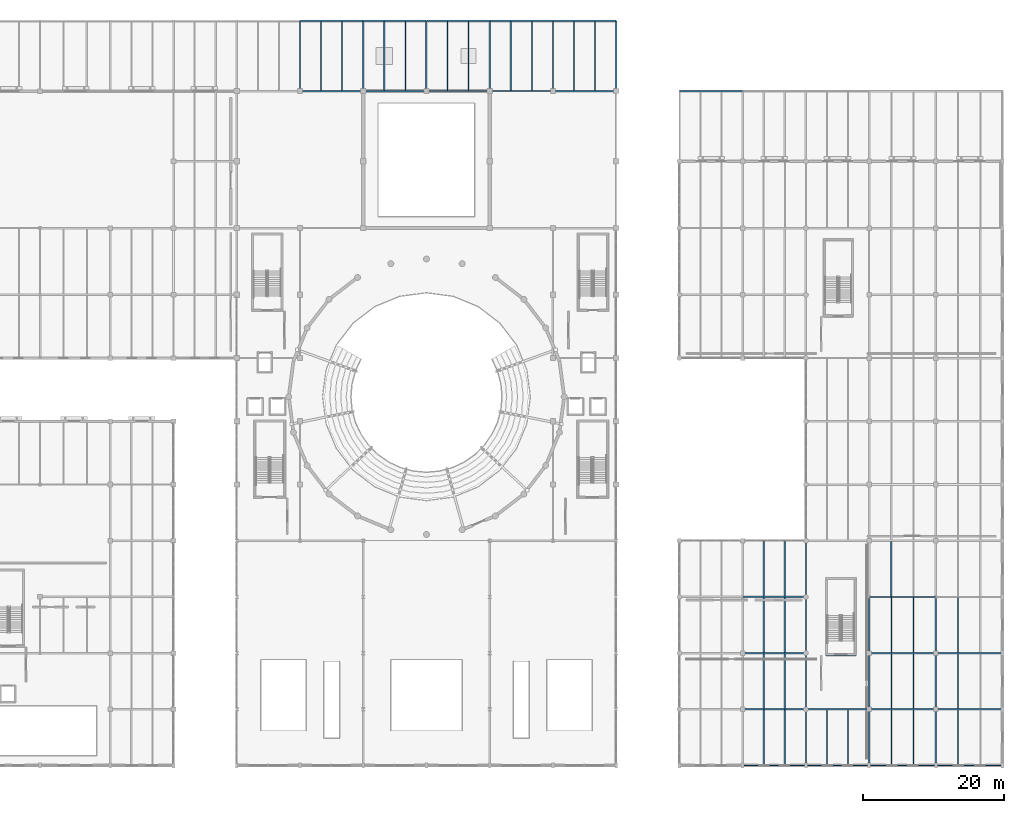
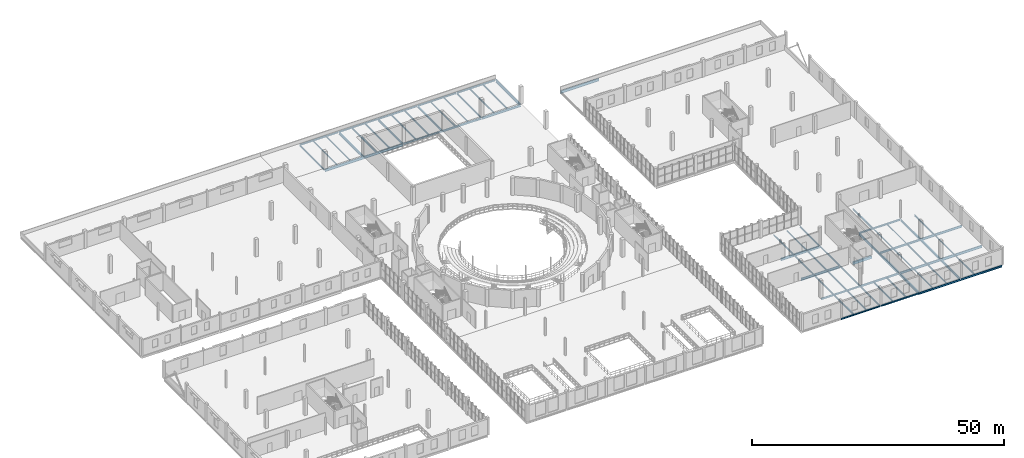
# One storey, part 43 of 85: 71 beams.
"""IFC4 building model written with IfcOpenShell, lengths in metres."""

from ifc_helpers import new_model, si_unit, direction, frame, origin, origin_2d, place, context, subcontext, project, spatial, rectangle, i_section, extrude, material, material_profile, profile_set, type_object, element, save


model = new_model("IFC4")

# Units and contexts
model_context = context("Model", 3, precision=1e-05, world=origin(), true_north=direction((0.0, 1.0)))
body_context = subcontext(model_context, "Body", "Model", "MODEL_VIEW")
ifc_project = project(units=[si_unit("LENGTHUNIT", "METRE"), si_unit("AREAUNIT", "SQUARE_METRE"), si_unit("VOLUMEUNIT", "CUBIC_METRE"), si_unit("PLANEANGLEUNIT", "RADIAN"), si_unit("MASSUNIT", "GRAM", prefix="KILO")], contexts=[model_context])

# Site, building, storey
site_placement = place(None, origin())
site = spatial("IfcSite", under=ifc_project, at=site_placement, CompositionType="ELEMENT")
building_placement = place(site_placement, origin())
building = spatial("IfcBuilding", under=site, at=building_placement, Name="Marnock Terrace Opera House", CompositionType="ELEMENT")
storey_placement = place(building_placement, frame((0.0, 0.0, 10.199951171875)))
storey = spatial("IfcBuildingStorey", under=building, at=storey_placement, Name="L02", CompositionType="ELEMENT", Elevation=10.199951171875)

# Beams
ifc_material_1 = material(Name="Steel Grade 350 (AS/NZS 3679.1)", Category="steel")
ifc_material_profile_1 = material_profile(ifc_material_1, i_section(OverallWidth=0.1708984375, OverallDepth=0.355712890625, WebThickness=0.00732421875, FlangeThickness=0.011474609375, FilletRadius=0.011474609375, at=origin_2d()))
ifc_profile_set_1 = profile_set([ifc_material_profile_1], Name="Steel Grade 350 (AS/NZS 3679.1)")
beam_type_1 = type_object("IfcBeamType", Name="BM-GIRD-360", PredefinedType="BEAM", material=ifc_profile_set_1)
for number, where, z_axis, x_axis, name in (
    (1, (64.0, 104.050048828125, -0.437744140625), (0.0, 1.0, 0.0), (-1.0, 0.0, 0.0), "L02 girder (X=64.0, 104.0..114.0)"),
    (2, (100.0, 104.050048828125, -0.437744140625), (0.0, 1.0, 0.0), (-1.0, 0.0, 0.0), "L02 girder (X=100.0, 104.0..114.0)"),
):
    element("IfcBeam", number, at=place(storey_placement, frame(where, z_axis=z_axis, x_axis=x_axis)), inside=storey, type_object=beam_type_1, Name=name, PredefinedType="BEAM", context=body_context, shape_type="SweptSolid", body=[
        extrude(i_section(OverallWidth=0.1708984375, OverallDepth=0.355712890625, WebThickness=0.00732421875, FlangeThickness=0.011474609375, FilletRadius=0.011474609375, at=origin_2d()), origin(), (0.0, 0.0, 1.0), 9.89990234375),
    ])
for number, where, z_axis, x_axis, name in (
    (3, (136.0, 8.050048828125, -0.437744140625), (0.0, 1.0, 0.0), (-1.0, 0.0, 0.0), "L02 girder (X=136.0, 8.0..16.0)"),
    (4, (136.0, 16.050048828125, -0.437744140625), (0.0, 1.0, 0.0), (-1.0, 0.0, 0.0), "L02 girder (X=136.0, 16.0..24.0)"),
    (5, (136.0, 24.050048828125, -0.437744140625), (0.0, 1.0, 0.0), (-1.0, 0.0, 0.0), "L02 girder (X=136.0, 24.0..32.0)"),
    (6, (136.0, 32.050048828125, -0.437744140625), (0.0, 1.0, 0.0), (-1.0, 0.0, 0.0), "L02 girder (X=136.0, 32.0..40.0)"),
):
    element("IfcBeam", number, at=place(storey_placement, frame(where, z_axis=z_axis, x_axis=x_axis)), inside=storey, type_object=beam_type_1, Name=name, PredefinedType="BEAM", context=body_context, shape_type="SweptSolid", body=[
        extrude(i_section(OverallWidth=0.1708984375, OverallDepth=0.355712890625, WebThickness=0.00732421875, FlangeThickness=0.011474609375, FilletRadius=0.011474609375, at=origin_2d()), origin(), (0.0, 0.0, 1.0), 7.89990234375),
    ])
ifc_material_profile_2 = material_profile(ifc_material_1, i_section(OverallWidth=0.177978515625, OverallDepth=0.402587890625, WebThickness=0.007568359375, FlangeThickness=0.010986328125, FilletRadius=0.011474609375, at=origin_2d()))
ifc_profile_set_2 = profile_set([ifc_material_profile_2], Name="Steel Grade 350 (AS/NZS 3679.1)")
beam_type_2 = type_object("IfcBeamType", Name="BM-GIRD-410", PredefinedType="BEAM", material=ifc_profile_set_2)
beam_1_placement = place(storey_placement, frame((127.050048828125, 16.0, -0.461181640625), z_axis=(1.0, 0.0, 0.0), x_axis=(0.0, 1.0, 0.0)))
element("IfcBeam", 7, at=beam_1_placement, inside=storey, type_object=beam_type_2, Name="L02 girder (127.0..136.0, Y=16.0)", PredefinedType="BEAM", context=body_context, shape_type="SweptSolid", body=[
    extrude(i_section(OverallWidth=0.177978515625, OverallDepth=0.402587890625, WebThickness=0.007568359375, FlangeThickness=0.010986328125, FilletRadius=0.011474609375, at=origin_2d()), origin(), (0.0, 0.0, 1.0), 8.89990234375),
])
beam_2_placement = place(storey_placement, frame((145.050048828125, 32.0, -0.461181640625), z_axis=(1.0, 0.0, 0.0), x_axis=(0.0, 1.0, 0.0)))
element("IfcBeam", 8, at=beam_2_placement, inside=storey, type_object=beam_type_2, Name="L02 girder (145.0..154.5, Y=32.0)", PredefinedType="BEAM", context=body_context, shape_type="SweptSolid", body=[
    extrude(i_section(OverallWidth=0.177978515625, OverallDepth=0.402587890625, WebThickness=0.007568359375, FlangeThickness=0.010986328125, FilletRadius=0.011474609375, at=origin_2d()), origin(), (0.0, 0.0, 1.0), 9.39990234375),
])
beam_3_placement = place(storey_placement, frame((82.050048828125, 104.0, -0.461181640625), z_axis=(1.0, 0.0, 0.0), x_axis=(0.0, 1.0, 0.0)))
element("IfcBeam", 9, at=beam_3_placement, inside=storey, type_object=beam_type_2, Name="L02 girder (82.0..91.0, Y=104.0)", PredefinedType="BEAM", context=body_context, shape_type="SweptSolid", body=[
    extrude(i_section(OverallWidth=0.177978515625, OverallDepth=0.402587890625, WebThickness=0.007568359375, FlangeThickness=0.010986328125, FilletRadius=0.011474609375, at=origin_2d()), origin(), (0.0, 0.0, 1.0), 8.89990234375),
])
ifc_material_profile_3 = material_profile(ifc_material_1, i_section(OverallWidth=0.19091796875, OverallDepth=0.46044921875, WebThickness=0.010009765625, FlangeThickness=0.01611328125, FilletRadius=0.011474609375, at=origin_2d()))
ifc_profile_set_3 = profile_set([ifc_material_profile_3], Name="Steel Grade 350 (AS/NZS 3679.1)")
beam_type_3 = type_object("IfcBeamType", Name="BM-GIRD-460A", PredefinedType="BEAM", material=ifc_profile_set_3)
beam_4_placement = place(storey_placement, frame((136.050048828125, 16.0, -0.490234375), z_axis=(1.0, 0.0, 0.0), x_axis=(0.0, 1.0, 0.0)))
element("IfcBeam", 10, at=beam_4_placement, inside=storey, type_object=beam_type_3, Name="L02 girder (136.0..145.0, Y=16.0)", PredefinedType="BEAM", context=body_context, shape_type="SweptSolid", body=[
    extrude(i_section(OverallWidth=0.19091796875, OverallDepth=0.46044921875, WebThickness=0.010009765625, FlangeThickness=0.01611328125, FilletRadius=0.011474609375, at=origin_2d()), origin(), (0.0, 0.0, 1.0), 8.89990234375),
])
beam_5_placement = place(storey_placement, frame((145.050048828125, 24.0, -0.490234375), z_axis=(1.0, 0.0, 0.0), x_axis=(0.0, 1.0, 0.0)))
element("IfcBeam", 11, at=beam_5_placement, inside=storey, type_object=beam_type_3, Name="L02 girder (145.0..154.5, Y=24.0)", PredefinedType="BEAM", context=body_context, shape_type="SweptSolid", body=[
    extrude(i_section(OverallWidth=0.19091796875, OverallDepth=0.46044921875, WebThickness=0.010009765625, FlangeThickness=0.01611328125, FilletRadius=0.011474609375, at=origin_2d()), origin(), (0.0, 0.0, 1.0), 9.39990234375),
])
beam_6_placement = place(storey_placement, frame((91.050048828125, 104.0, -0.490234375), z_axis=(1.0, 0.0, 0.0), x_axis=(0.0, 1.0, 0.0)))
element("IfcBeam", 12, at=beam_6_placement, inside=storey, type_object=beam_type_3, Name="L02 girder (91.0..100.0, Y=104.0)", PredefinedType="BEAM", context=body_context, shape_type="SweptSolid", body=[
    extrude(i_section(OverallWidth=0.19091796875, OverallDepth=0.46044921875, WebThickness=0.010009765625, FlangeThickness=0.01611328125, FilletRadius=0.011474609375, at=origin_2d()), origin(), (0.0, 0.0, 1.0), 8.89990234375),
])
ifc_material_profile_4 = material_profile(ifc_material_1, i_section(OverallWidth=0.18994140625, OverallDepth=0.45751953125, WebThickness=0.009033203125, FlangeThickness=0.014404296875, FilletRadius=0.011474609375, at=origin_2d()))
ifc_profile_set_4 = profile_set([ifc_material_profile_4], Name="Steel Grade 350 (AS/NZS 3679.1)")
beam_type_4 = type_object("IfcBeamType", Name="BM-GIRD-460B", PredefinedType="BEAM", material=ifc_profile_set_4)
beam_7_placement = place(storey_placement, frame((91.0, 104.050048828125, -0.48876953125), z_axis=(0.0, 1.0, 0.0), x_axis=(-1.0, 0.0, 0.0)))
element("IfcBeam", 13, at=beam_7_placement, inside=storey, type_object=beam_type_4, Name="L02 girder (X=91.0, 104.0..114.0)", PredefinedType="BEAM", context=body_context, shape_type="SweptSolid", body=[
    extrude(i_section(OverallWidth=0.18994140625, OverallDepth=0.45751953125, WebThickness=0.009033203125, FlangeThickness=0.014404296875, FilletRadius=0.011474609375, at=origin_2d()), origin(), (0.0, 0.0, 1.0), 9.89990234375),
])
ifc_material_profile_5 = material_profile(ifc_material_1, i_section(OverallWidth=0.208984375, OverallDepth=0.532958984375, WebThickness=0.01025390625, FlangeThickness=0.015625, FilletRadius=0.013916015625, at=origin_2d()))
ifc_profile_set_5 = profile_set([ifc_material_profile_5], Name="Steel Grade 350 (AS/NZS 3679.1)")
beam_type_5 = type_object("IfcBeamType", Name="BM-GIRD-530A", PredefinedType="BEAM", material=ifc_profile_set_5)
for number, where, z_axis, x_axis, name in (
    (14, (145.050048828125, 16.0, -0.5263671875), (1.0, 0.0, 0.0), (0.0, 1.0, 0.0), "L02 girder (145.0..154.5, Y=16.0)"),
    (15, (154.550048828125, 24.0, -0.5263671875), (1.0, 0.0, 0.0), (0.0, 1.0, 0.0), "L02 girder (154.5..164.0, Y=24.0)"),
):
    element("IfcBeam", number, at=place(storey_placement, frame(where, z_axis=z_axis, x_axis=x_axis)), inside=storey, type_object=beam_type_5, Name=name, PredefinedType="BEAM", context=body_context, shape_type="SweptSolid", body=[
        extrude(i_section(OverallWidth=0.208984375, OverallDepth=0.532958984375, WebThickness=0.01025390625, FlangeThickness=0.015625, FilletRadius=0.013916015625, at=origin_2d()), origin(), (0.0, 0.0, 1.0), 9.39990234375),
    ])
beam_8_placement = place(storey_placement, frame((100.050048828125, 104.0, -0.5263671875), z_axis=(1.0, 0.0, 0.0), x_axis=(0.0, 1.0, 0.0)))
element("IfcBeam", 16, at=beam_8_placement, inside=storey, type_object=beam_type_5, Name="L02 girder (100.0..109.0, Y=104.0)", PredefinedType="BEAM", context=body_context, shape_type="SweptSolid", body=[
    extrude(i_section(OverallWidth=0.208984375, OverallDepth=0.532958984375, WebThickness=0.01025390625, FlangeThickness=0.015625, FilletRadius=0.013916015625, at=origin_2d()), origin(), (0.0, 0.0, 1.0), 8.89990234375),
])
ifc_material_profile_6 = material_profile(ifc_material_1, i_section(OverallWidth=0.208984375, OverallDepth=0.528076171875, WebThickness=0.009521484375, FlangeThickness=0.01318359375, FilletRadius=0.013916015625, at=origin_2d()))
ifc_profile_set_6 = profile_set([ifc_material_profile_6], Name="Steel Grade 350 (AS/NZS 3679.1)")
beam_type_6 = type_object("IfcBeamType", Name="BM-GIRD-530B", PredefinedType="BEAM", material=ifc_profile_set_6)
beam_9_placement = place(storey_placement, frame((82.0, 104.050048828125, -0.52392578125), z_axis=(0.0, 1.0, 0.0), x_axis=(-1.0, 0.0, 0.0)))
element("IfcBeam", 17, at=beam_9_placement, inside=storey, type_object=beam_type_6, Name="L02 girder (X=82.0, 104.0..114.0)", PredefinedType="BEAM", context=body_context, shape_type="SweptSolid", body=[
    extrude(i_section(OverallWidth=0.208984375, OverallDepth=0.528076171875, WebThickness=0.009521484375, FlangeThickness=0.01318359375, FilletRadius=0.013916015625, at=origin_2d()), origin(), (0.0, 0.0, 1.0), 9.89990234375),
])
for number, where, z_axis, x_axis, name in (
    (18, (154.5, 8.050048828125, -0.52392578125), (0.0, 1.0, 0.0), (-1.0, 0.0, 0.0), "L02 girder (X=154.5, 8.0..16.0)"),
    (19, (154.5, 16.050048828125, -0.52392578125), (0.0, 1.0, 0.0), (-1.0, 0.0, 0.0), "L02 girder (X=154.5, 16.0..24.0)"),
    (20, (154.5, 24.050048828125, -0.52392578125), (0.0, 1.0, 0.0), (-1.0, 0.0, 0.0), "L02 girder (X=154.5, 24.0..32.0)"),
):
    element("IfcBeam", number, at=place(storey_placement, frame(where, z_axis=z_axis, x_axis=x_axis)), inside=storey, type_object=beam_type_6, Name=name, PredefinedType="BEAM", context=body_context, shape_type="SweptSolid", body=[
        extrude(i_section(OverallWidth=0.208984375, OverallDepth=0.528076171875, WebThickness=0.009521484375, FlangeThickness=0.01318359375, FilletRadius=0.013916015625, at=origin_2d()), origin(), (0.0, 0.0, 1.0), 7.89990234375),
    ])
ifc_material_profile_7 = material_profile(ifc_material_1, i_section(OverallWidth=0.22900390625, OverallDepth=0.611572265625, WebThickness=0.011962890625, FlangeThickness=0.01953125, FilletRadius=0.013916015625, at=origin_2d()))
ifc_profile_set_7 = profile_set([ifc_material_profile_7], Name="Steel Grade 350 (AS/NZS 3679.1)")
beam_type_7 = type_object("IfcBeamType", Name="BM-GIRD-610A", PredefinedType="BEAM", material=ifc_profile_set_7)
for number, where, z_axis, x_axis, name in (
    (21, (127.050048828125, 24.0, -0.565673828125), (1.0, 0.0, 0.0), (0.0, 1.0, 0.0), "L02 girder (127.0..136.0, Y=24.0)"),
    (22, (73.050048828125, 104.0, -0.565673828125), (1.0, 0.0, 0.0), (0.0, 1.0, 0.0), "L02 girder (73.0..82.0, Y=104.0)"),
    (23, (118.050048828125, 104.0, -0.525634765625), (1.0, 0.0, 0.0), (0.0, 1.0, 0.0), "L02 girder (118.0..127.0, Y=104.0)"),
):
    element("IfcBeam", number, at=place(storey_placement, frame(where, z_axis=z_axis, x_axis=x_axis)), inside=storey, type_object=beam_type_7, Name=name, PredefinedType="BEAM", context=body_context, shape_type="SweptSolid", body=[
        extrude(i_section(OverallWidth=0.22900390625, OverallDepth=0.611572265625, WebThickness=0.011962890625, FlangeThickness=0.01953125, FilletRadius=0.013916015625, at=origin_2d()), origin(), (0.0, 0.0, 1.0), 8.89990234375),
    ])
ifc_material_profile_8 = material_profile(ifc_material_1, i_section(OverallWidth=0.22802734375, OverallDepth=0.60693359375, WebThickness=0.01123046875, FlangeThickness=0.017333984375, FilletRadius=0.013916015625, at=origin_2d()))
ifc_profile_set_8 = profile_set([ifc_material_profile_8], Name="Steel Grade 350 (AS/NZS 3679.1)")
beam_type_8 = type_object("IfcBeamType", Name="BM-GIRD-610B", PredefinedType="BEAM", material=ifc_profile_set_8)
beam_10_placement = place(storey_placement, frame((154.550048828125, 16.0, -0.5634765625), z_axis=(1.0, 0.0, 0.0), x_axis=(0.0, 1.0, 0.0)))
element("IfcBeam", 24, at=beam_10_placement, inside=storey, type_object=beam_type_8, Name="L02 girder (154.5..164.0, Y=16.0)", PredefinedType="BEAM", context=body_context, shape_type="SweptSolid", body=[
    extrude(i_section(OverallWidth=0.22802734375, OverallDepth=0.60693359375, WebThickness=0.01123046875, FlangeThickness=0.017333984375, FilletRadius=0.013916015625, at=origin_2d()), origin(), (0.0, 0.0, 1.0), 9.39990234375),
])
for number, where, z_axis, x_axis, name in (
    (25, (127.050048828125, 32.0, -0.5634765625), (1.0, 0.0, 0.0), (0.0, 1.0, 0.0), "L02 girder (127.0..136.0, Y=32.0)"),
    (26, (64.050048828125, 104.0, -0.5634765625), (1.0, 0.0, 0.0), (0.0, 1.0, 0.0), "L02 girder (64.0..73.0, Y=104.0)"),
):
    element("IfcBeam", number, at=place(storey_placement, frame(where, z_axis=z_axis, x_axis=x_axis)), inside=storey, type_object=beam_type_8, Name=name, PredefinedType="BEAM", context=body_context, shape_type="SweptSolid", body=[
        extrude(i_section(OverallWidth=0.22802734375, OverallDepth=0.60693359375, WebThickness=0.01123046875, FlangeThickness=0.017333984375, FilletRadius=0.013916015625, at=origin_2d()), origin(), (0.0, 0.0, 1.0), 8.89990234375),
    ])
ifc_material_profile_9 = material_profile(ifc_material_1, i_section(OverallWidth=0.22802734375, OverallDepth=0.60205078125, WebThickness=0.010498046875, FlangeThickness=0.014892578125, FilletRadius=0.013916015625, at=origin_2d()))
ifc_profile_set_9 = profile_set([ifc_material_profile_9], Name="Steel Grade 350 (AS/NZS 3679.1)")
beam_type_9 = type_object("IfcBeamType", Name="BM-GIRD-610C", PredefinedType="BEAM", material=ifc_profile_set_9)
for number, where, z_axis, x_axis, name in (
    (27, (73.0, 104.050048828125, -0.56103515625), (0.0, 1.0, 0.0), (-1.0, 0.0, 0.0), "L02 girder (X=73.0, 104.0..114.0)"),
    (28, (109.0, 104.050048828125, -0.56103515625), (0.0, 1.0, 0.0), (-1.0, 0.0, 0.0), "L02 girder (X=109.0, 104.0..114.0)"),
):
    element("IfcBeam", number, at=place(storey_placement, frame(where, z_axis=z_axis, x_axis=x_axis)), inside=storey, type_object=beam_type_9, Name=name, PredefinedType="BEAM", context=body_context, shape_type="SweptSolid", body=[
        extrude(i_section(OverallWidth=0.22802734375, OverallDepth=0.60205078125, WebThickness=0.010498046875, FlangeThickness=0.014892578125, FilletRadius=0.013916015625, at=origin_2d()), origin(), (0.0, 0.0, 1.0), 9.89990234375),
    ])
for number, where, z_axis, x_axis, name in (
    (29, (145.0, 8.050048828125, -0.56103515625), (0.0, 1.0, 0.0), (-1.0, 0.0, 0.0), "L02 girder (X=145.0, 8.0..16.0)"),
    (30, (145.0, 16.050048828125, -0.56103515625), (0.0, 1.0, 0.0), (-1.0, 0.0, 0.0), "L02 girder (X=145.0, 16.0..24.0)"),
    (31, (145.0, 24.050048828125, -0.56103515625), (0.0, 1.0, 0.0), (-1.0, 0.0, 0.0), "L02 girder (X=145.0, 24.0..32.0)"),
):
    element("IfcBeam", number, at=place(storey_placement, frame(where, z_axis=z_axis, x_axis=x_axis)), inside=storey, type_object=beam_type_9, Name=name, PredefinedType="BEAM", context=body_context, shape_type="SweptSolid", body=[
        extrude(i_section(OverallWidth=0.22802734375, OverallDepth=0.60205078125, WebThickness=0.010498046875, FlangeThickness=0.014892578125, FilletRadius=0.013916015625, at=origin_2d()), origin(), (0.0, 0.0, 1.0), 7.89990234375),
    ])
ifc_material_profile_10 = material_profile(ifc_material_1, i_section(OverallWidth=0.14599609375, OverallDepth=0.256103515625, WebThickness=0.00634765625, FlangeThickness=0.010986328125, FilletRadius=0.0087890625, at=origin_2d()))
ifc_profile_set_10 = profile_set([ifc_material_profile_10], Name="Steel Grade 350 (AS/NZS 3679.1)")
beam_type_10 = type_object("IfcBeamType", Name="BM-JOIST-250", PredefinedType="JOIST", material=ifc_profile_set_10)
for number, where, z_axis, x_axis, name in (
    (32, (67.0, 104.10888671875, -0.387939453125), (0.0, 1.0, 0.0), (-1.0, 0.0, 0.0), "L02 secondary joist 7.12.1"),
    (33, (70.0, 104.10888671875, -0.387939453125), (0.0, 1.0, 0.0), (-1.0, 0.0, 0.0), "L02 secondary joist 7.12.2"),
):
    element("IfcBeam", number, at=place(storey_placement, frame(where, z_axis=z_axis, x_axis=x_axis)), inside=storey, type_object=beam_type_10, Name=name, PredefinedType="JOIST", context=body_context, shape_type="SweptSolid", body=[
        extrude(i_section(OverallWidth=0.14599609375, OverallDepth=0.256103515625, WebThickness=0.00634765625, FlangeThickness=0.010986328125, FilletRadius=0.0087890625, at=origin_2d()), origin(), (0.0, 0.0, 1.0), 9.81005859375),
    ])
for number, where, z_axis, x_axis, name in (
    (34, (148.166748046875, 24.090576171875, -0.387939453125), (0.0, 1.0, 0.0), (-1.0, 0.0, 0.0), "L02 secondary joist 16.3.1"),
    (35, (151.333251953125, 24.090576171875, -0.387939453125), (0.0, 1.0, 0.0), (-1.0, 0.0, 0.0), "L02 secondary joist 16.3.2"),
):
    element("IfcBeam", number, at=place(storey_placement, frame(where, z_axis=z_axis, x_axis=x_axis)), inside=storey, type_object=beam_type_10, Name=name, PredefinedType="JOIST", context=body_context, shape_type="SweptSolid", body=[
        extrude(i_section(OverallWidth=0.14599609375, OverallDepth=0.256103515625, WebThickness=0.00634765625, FlangeThickness=0.010986328125, FilletRadius=0.0087890625, at=origin_2d()), origin(), (0.0, 0.0, 1.0), 7.825439453125),
    ])
beam_11_placement = place(storey_placement, frame((157.666748046875, 16.10888671875, -0.387939453125), z_axis=(0.0, 1.0, 0.0), x_axis=(-1.0, 0.0, 0.0)))
element("IfcBeam", 36, at=beam_11_placement, inside=storey, type_object=beam_type_10, Name="L02 secondary joist 17.2.1", PredefinedType="JOIST", context=body_context, shape_type="SweptSolid", body=[
    extrude(i_section(OverallWidth=0.14599609375, OverallDepth=0.256103515625, WebThickness=0.00634765625, FlangeThickness=0.010986328125, FilletRadius=0.0087890625, at=origin_2d()), origin(), (0.0, 0.0, 1.0), 7.79150390625),
])
ifc_material_profile_11 = material_profile(ifc_material_1, i_section(OverallWidth=0.166015625, OverallDepth=0.30712890625, WebThickness=0.006591796875, FlangeThickness=0.01171875, FilletRadius=0.011474609375, at=origin_2d()))
ifc_profile_set_11 = profile_set([ifc_material_profile_11], Name="Steel Grade 350 (AS/NZS 3679.1)")
beam_type_11 = type_object("IfcBeamType", Name="BM-JOIST-310A", PredefinedType="JOIST", material=ifc_profile_set_11)
for number, where, z_axis, x_axis, name in (
    (37, (94.0, 104.090576171875, -0.41357421875), (0.0, 1.0, 0.0), (-1.0, 0.0, 0.0), "L02 secondary joist 10.12.1"),
    (38, (97.0, 104.090576171875, -0.41357421875), (0.0, 1.0, 0.0), (-1.0, 0.0, 0.0), "L02 secondary joist 10.12.2"),
):
    element("IfcBeam", number, at=place(storey_placement, frame(where, z_axis=z_axis, x_axis=x_axis)), inside=storey, type_object=beam_type_11, Name=name, PredefinedType="JOIST", context=body_context, shape_type="SweptSolid", body=[
        extrude(i_section(OverallWidth=0.166015625, OverallDepth=0.30712890625, WebThickness=0.006591796875, FlangeThickness=0.01171875, FilletRadius=0.011474609375, at=origin_2d()), origin(), (0.0, 0.0, 1.0), 9.828369140625),
    ])
for number, where, z_axis, x_axis, name in (
    (39, (130.0, 24.109619140625, -0.41357421875), (0.0, 1.0, 0.0), (-1.0, 0.0, 0.0), "L02 secondary joist 14.3.1"),
    (40, (133.0, 24.109619140625, -0.41357421875), (0.0, 1.0, 0.0), (-1.0, 0.0, 0.0), "L02 secondary joist 14.3.2"),
):
    element("IfcBeam", number, at=place(storey_placement, frame(where, z_axis=z_axis, x_axis=x_axis)), inside=storey, type_object=beam_type_11, Name=name, PredefinedType="JOIST", context=body_context, shape_type="SweptSolid", body=[
        extrude(i_section(OverallWidth=0.166015625, OverallDepth=0.30712890625, WebThickness=0.006591796875, FlangeThickness=0.01171875, FilletRadius=0.011474609375, at=origin_2d()), origin(), (0.0, 0.0, 1.0), 7.781494140625),
    ])
for number, where, z_axis, x_axis, name in (
    (41, (148.166748046875, 8.090576171875, -0.41357421875), (0.0, 1.0, 0.0), (-1.0, 0.0, 0.0), "L02 secondary joist 16.1.1"),
    (42, (151.333251953125, 8.090576171875, -0.41357421875), (0.0, 1.0, 0.0), (-1.0, 0.0, 0.0), "L02 secondary joist 16.1.2"),
):
    element("IfcBeam", number, at=place(storey_placement, frame(where, z_axis=z_axis, x_axis=x_axis)), inside=storey, type_object=beam_type_11, Name=name, PredefinedType="JOIST", context=body_context, shape_type="SweptSolid", body=[
        extrude(i_section(OverallWidth=0.166015625, OverallDepth=0.30712890625, WebThickness=0.006591796875, FlangeThickness=0.01171875, FilletRadius=0.011474609375, at=origin_2d()), origin(), (0.0, 0.0, 1.0), 7.809814453125),
    ])
ifc_material_profile_12 = material_profile(ifc_material_1, i_section(OverallWidth=0.1650390625, OverallDepth=0.3037109375, WebThickness=0.006103515625, FlangeThickness=0.01025390625, FilletRadius=0.011474609375, at=origin_2d()))
ifc_profile_set_12 = profile_set([ifc_material_profile_12], Name="Steel Grade 350 (AS/NZS 3679.1)")
beam_type_12 = type_object("IfcBeamType", Name="BM-JOIST-310B", PredefinedType="JOIST", material=ifc_profile_set_12)
for number, where, z_axis, x_axis, name in (
    (43, (103.0, 104.099609375, -0.411865234375), (0.0, 1.0, 0.0), (-1.0, 0.0, 0.0), "L02 secondary joist 11.12.1"),
    (44, (106.0, 104.099609375, -0.411865234375), (0.0, 1.0, 0.0), (-1.0, 0.0, 0.0), "L02 secondary joist 11.12.2"),
):
    element("IfcBeam", number, at=place(storey_placement, frame(where, z_axis=z_axis, x_axis=x_axis)), inside=storey, type_object=beam_type_12, Name=name, PredefinedType="JOIST", context=body_context, shape_type="SweptSolid", body=[
        extrude(i_section(OverallWidth=0.1650390625, OverallDepth=0.3037109375, WebThickness=0.006103515625, FlangeThickness=0.01025390625, FilletRadius=0.011474609375, at=origin_2d()), origin(), (0.0, 0.0, 1.0), 9.8193359375),
    ])
for number, where, z_axis, x_axis, name in (
    (45, (130.0, 32.10888671875, -0.411865234375), (0.0, 1.0, 0.0), (-1.0, 0.0, 0.0), "L02 secondary joist 14.4.1"),
    (46, (133.0, 32.10888671875, -0.411865234375), (0.0, 1.0, 0.0), (-1.0, 0.0, 0.0), "L02 secondary joist 14.4.2"),
):
    element("IfcBeam", number, at=place(storey_placement, frame(where, z_axis=z_axis, x_axis=x_axis)), inside=storey, type_object=beam_type_12, Name=name, PredefinedType="JOIST", context=body_context, shape_type="SweptSolid", body=[
        extrude(i_section(OverallWidth=0.1650390625, OverallDepth=0.3037109375, WebThickness=0.006103515625, FlangeThickness=0.01025390625, FilletRadius=0.011474609375, at=origin_2d()), origin(), (0.0, 0.0, 1.0), 7.79150390625),
    ])
for number, where, z_axis, x_axis, name in (
    (47, (148.166748046875, 16.099609375, -0.411865234375), (0.0, 1.0, 0.0), (-1.0, 0.0, 0.0), "L02 secondary joist 16.2.1"),
    (48, (151.333251953125, 16.099609375, -0.411865234375), (0.0, 1.0, 0.0), (-1.0, 0.0, 0.0), "L02 secondary joist 16.2.2"),
):
    element("IfcBeam", number, at=place(storey_placement, frame(where, z_axis=z_axis, x_axis=x_axis)), inside=storey, type_object=beam_type_12, Name=name, PredefinedType="JOIST", context=body_context, shape_type="SweptSolid", body=[
        extrude(i_section(OverallWidth=0.1650390625, OverallDepth=0.3037109375, WebThickness=0.006103515625, FlangeThickness=0.01025390625, FilletRadius=0.011474609375, at=origin_2d()), origin(), (0.0, 0.0, 1.0), 7.809814453125),
    ])
beam_12_placement = place(storey_placement, frame((157.666748046875, 8.090576171875, -0.411865234375), z_axis=(0.0, 1.0, 0.0), x_axis=(-1.0, 0.0, 0.0)))
element("IfcBeam", 49, at=beam_12_placement, inside=storey, type_object=beam_type_12, Name="L02 secondary joist 17.1.1", PredefinedType="JOIST", context=body_context, shape_type="SweptSolid", body=[
    extrude(i_section(OverallWidth=0.1650390625, OverallDepth=0.3037109375, WebThickness=0.006103515625, FlangeThickness=0.01025390625, FilletRadius=0.011474609375, at=origin_2d()), origin(), (0.0, 0.0, 1.0), 7.800537109375),
])
ifc_material_profile_13 = material_profile(ifc_material_1, i_section(OverallWidth=0.172119140625, OverallDepth=0.358642578125, WebThickness=0.008056640625, FlangeThickness=0.012939453125, FilletRadius=0.011474609375, at=origin_2d()))
ifc_profile_set_13 = profile_set([ifc_material_profile_13], Name="Steel Grade 350 (AS/NZS 3679.1)")
beam_type_13 = type_object("IfcBeamType", Name="BM-JOIST-360", PredefinedType="JOIST", material=ifc_profile_set_13)
for number, where, z_axis, x_axis, name in (
    (50, (85.0, 104.083984375, -0.439208984375), (0.0, 1.0, 0.0), (-1.0, 0.0, 0.0), "L02 secondary joist 9.12.1"),
    (51, (88.0, 104.083984375, -0.439208984375), (0.0, 1.0, 0.0), (-1.0, 0.0, 0.0), "L02 secondary joist 9.12.2"),
):
    element("IfcBeam", number, at=place(storey_placement, frame(where, z_axis=z_axis, x_axis=x_axis)), inside=storey, type_object=beam_type_13, Name=name, PredefinedType="JOIST", context=body_context, shape_type="SweptSolid", body=[
        extrude(i_section(OverallWidth=0.172119140625, OverallDepth=0.358642578125, WebThickness=0.008056640625, FlangeThickness=0.012939453125, FilletRadius=0.011474609375, at=origin_2d()), origin(), (0.0, 0.0, 1.0), 9.8349609375),
    ])
for number, where, z_axis, x_axis, name in (
    (52, (130.0, 16.083984375, -0.439208984375), (0.0, 1.0, 0.0), (-1.0, 0.0, 0.0), "L02 secondary joist 14.2.1"),
    (53, (133.0, 16.083984375, -0.439208984375), (0.0, 1.0, 0.0), (-1.0, 0.0, 0.0), "L02 secondary joist 14.2.2"),
):
    element("IfcBeam", number, at=place(storey_placement, frame(where, z_axis=z_axis, x_axis=x_axis)), inside=storey, type_object=beam_type_13, Name=name, PredefinedType="JOIST", context=body_context, shape_type="SweptSolid", body=[
        extrude(i_section(OverallWidth=0.172119140625, OverallDepth=0.358642578125, WebThickness=0.008056640625, FlangeThickness=0.012939453125, FilletRadius=0.011474609375, at=origin_2d()), origin(), (0.0, 0.0, 1.0), 7.806396484375),
    ])
for number, where, z_axis, x_axis, name in (
    (54, (139.0, 8.0810546875, -0.439208984375), (0.0, 1.0, 0.0), (-1.0, 0.0, 0.0), "L02 secondary joist 15.1.1"),
    (55, (142.0, 8.0810546875, -0.439208984375), (0.0, 1.0, 0.0), (-1.0, 0.0, 0.0), "L02 secondary joist 15.1.2"),
):
    element("IfcBeam", number, at=place(storey_placement, frame(where, z_axis=z_axis, x_axis=x_axis)), inside=storey, type_object=beam_type_13, Name=name, PredefinedType="JOIST", context=body_context, shape_type="SweptSolid", body=[
        extrude(i_section(OverallWidth=0.172119140625, OverallDepth=0.358642578125, WebThickness=0.008056640625, FlangeThickness=0.012939453125, FilletRadius=0.011474609375, at=origin_2d()), origin(), (0.0, 0.0, 1.0), 7.828369140625),
    ])
ifc_material_profile_14 = material_profile(ifc_material_1, i_section(OverallWidth=0.177978515625, OverallDepth=0.406494140625, WebThickness=0.0078125, FlangeThickness=0.0126953125, FilletRadius=0.011474609375, at=origin_2d()))
ifc_profile_set_14 = profile_set([ifc_material_profile_14], Name="Steel Grade 350 (AS/NZS 3679.1)")
beam_type_14 = type_object("IfcBeamType", Name="BM-JOIST-410", PredefinedType="JOIST", material=ifc_profile_set_14)
for number, where, z_axis, x_axis, name in (
    (56, (76.0, 104.109619140625, -0.463134765625), (0.0, 1.0, 0.0), (-1.0, 0.0, 0.0), "L02 secondary joist 8.12.1"),
    (57, (79.0, 104.109619140625, -0.463134765625), (0.0, 1.0, 0.0), (-1.0, 0.0, 0.0), "L02 secondary joist 8.12.2"),
):
    element("IfcBeam", number, at=place(storey_placement, frame(where, z_axis=z_axis, x_axis=x_axis)), inside=storey, type_object=beam_type_14, Name=name, PredefinedType="JOIST", context=body_context, shape_type="SweptSolid", body=[
        extrude(i_section(OverallWidth=0.177978515625, OverallDepth=0.406494140625, WebThickness=0.0078125, FlangeThickness=0.0126953125, FilletRadius=0.011474609375, at=origin_2d()), origin(), (0.0, 0.0, 1.0), 9.809326171875),
    ])
for number, where, z_axis, x_axis, name in (
    (58, (130.0, 8.0810546875, -0.463134765625), (0.0, 1.0, 0.0), (-1.0, 0.0, 0.0), "L02 secondary joist 14.1.1"),
    (59, (133.0, 8.0810546875, -0.463134765625), (0.0, 1.0, 0.0), (-1.0, 0.0, 0.0), "L02 secondary joist 14.1.2"),
):
    element("IfcBeam", number, at=place(storey_placement, frame(where, z_axis=z_axis, x_axis=x_axis)), inside=storey, type_object=beam_type_14, Name=name, PredefinedType="JOIST", context=body_context, shape_type="SweptSolid", body=[
        extrude(i_section(OverallWidth=0.177978515625, OverallDepth=0.406494140625, WebThickness=0.0078125, FlangeThickness=0.0126953125, FilletRadius=0.011474609375, at=origin_2d()), origin(), (0.0, 0.0, 1.0), 7.8349609375),
    ])
beam_13_placement = place(storey_placement, frame((148.166748046875, 32.083984375, -0.463134765625), z_axis=(0.0, 1.0, 0.0), x_axis=(-1.0, 0.0, 0.0)))
element("IfcBeam", 60, at=beam_13_placement, inside=storey, type_object=beam_type_14, Name="L02 secondary joist 16.4.1", PredefinedType="JOIST", context=body_context, shape_type="SweptSolid", body=[
    extrude(i_section(OverallWidth=0.177978515625, OverallDepth=0.406494140625, WebThickness=0.0078125, FlangeThickness=0.0126953125, FilletRadius=0.011474609375, at=origin_2d()), origin(), (0.0, 0.0, 1.0), 7.806396484375),
])
beam_14_placement = place(storey_placement, frame((157.666748046875, 24.099609375, -0.463134765625), z_axis=(0.0, 1.0, 0.0), x_axis=(-1.0, 0.0, 0.0)))
element("IfcBeam", 61, at=beam_14_placement, inside=storey, type_object=beam_type_14, Name="L02 secondary joist 17.3.1", PredefinedType="JOIST", context=body_context, shape_type="SweptSolid", body=[
    extrude(i_section(OverallWidth=0.177978515625, OverallDepth=0.406494140625, WebThickness=0.0078125, FlangeThickness=0.0126953125, FilletRadius=0.011474609375, at=origin_2d()), origin(), (0.0, 0.0, 1.0), 7.809814453125),
])
ifc_material_2 = material(Name="Concrete N40 (f'c = 40 MPa)", Category="concrete")
ifc_material_profile_15 = material_profile(ifc_material_2, rectangle(XDim=0.35009765625, YDim=0.60009765625, at=origin_2d()))
ifc_profile_set_15 = profile_set([ifc_material_profile_15], Name="Concrete N40 (f'c = 40 MPa)")
beam_type_15 = type_object("IfcBeamType", Name="BM-LINT-RC350", PredefinedType="LINTEL", material=ifc_profile_set_15)
beam_15_placement = place(storey_placement, frame((138.840087890625, 23.800048828125, -0.60986328125), z_axis=(1.0, 0.0, 0.0), x_axis=(0.0, 1.0, 0.0)))
element("IfcBeam", 62, at=beam_15_placement, inside=storey, type_object=beam_type_15, Name="L01 Core C6 coupling lintel", PredefinedType="LINTEL", context=body_context, shape_type="SweptSolid", body=[
    extrude(rectangle(XDim=0.35009765625, YDim=0.60009765625, at=origin_2d()), origin(), (0.0, 0.0, 1.0), 4.280029296875),
])
ifc_material_profile_16 = material_profile(ifc_material_1, i_section(OverallWidth=0.172119140625, OverallDepth=0.358642578125, WebThickness=0.008056640625, FlangeThickness=0.012939453125, FilletRadius=0.011474609375, at=origin_2d()))
ifc_profile_set_16 = profile_set([ifc_material_profile_16], Name="Steel Grade 350 (AS/NZS 3679.1)")
beam_type_16 = type_object("IfcBeamType", Name="BM-SPAN-360", PredefinedType="SPANDREL", material=ifc_profile_set_16)
for number, where, z_axis, x_axis, name in (
    (63, (127.050048828125, 8.0, -0.439208984375), (1.0, 0.0, 0.0), (0.0, 1.0, 0.0), "L02 girder (127.0..136.0, Y=8.0)"),
    (64, (136.050048828125, 8.0, -0.439208984375), (1.0, 0.0, 0.0), (0.0, 1.0, 0.0), "L02 girder (136.0..145.0, Y=8.0)"),
    (65, (64.050048828125, 114.0, -0.439208984375), (1.0, 0.0, 0.0), (0.0, 1.0, 0.0), "L02 girder (64.0..73.0, Y=114.0)"),
    (66, (73.050048828125, 114.0, -0.439208984375), (1.0, 0.0, 0.0), (0.0, 1.0, 0.0), "L02 girder (73.0..82.0, Y=114.0)"),
    (67, (82.050048828125, 114.0, -0.439208984375), (1.0, 0.0, 0.0), (0.0, 1.0, 0.0), "L02 girder (82.0..91.0, Y=114.0)"),
    (68, (91.050048828125, 114.0, -0.439208984375), (1.0, 0.0, 0.0), (0.0, 1.0, 0.0), "L02 girder (91.0..100.0, Y=114.0)"),
    (69, (100.050048828125, 114.0, -0.439208984375), (1.0, 0.0, 0.0), (0.0, 1.0, 0.0), "L02 girder (100.0..109.0, Y=114.0)"),
):
    element("IfcBeam", number, at=place(storey_placement, frame(where, z_axis=z_axis, x_axis=x_axis)), inside=storey, type_object=beam_type_16, Name=name, PredefinedType="SPANDREL", context=body_context, shape_type="SweptSolid", body=[
        extrude(i_section(OverallWidth=0.172119140625, OverallDepth=0.358642578125, WebThickness=0.008056640625, FlangeThickness=0.012939453125, FilletRadius=0.011474609375, at=origin_2d()), origin(), (0.0, 0.0, 1.0), 8.89990234375),
    ])
ifc_material_profile_17 = material_profile(ifc_material_1, i_section(OverallWidth=0.19091796875, OverallDepth=0.46044921875, WebThickness=0.010009765625, FlangeThickness=0.01611328125, FilletRadius=0.011474609375, at=origin_2d()))
ifc_profile_set_17 = profile_set([ifc_material_profile_17], Name="Steel Grade 350 (AS/NZS 3679.1)")
beam_type_17 = type_object("IfcBeamType", Name="BM-SPAN-460", PredefinedType="SPANDREL", material=ifc_profile_set_17)
for number, where, z_axis, x_axis, name in (
    (70, (145.050048828125, 8.0, -0.490234375), (1.0, 0.0, 0.0), (0.0, 1.0, 0.0), "L02 girder (145.0..154.5, Y=8.0)"),
    (71, (154.550048828125, 8.0, -0.490234375), (1.0, 0.0, 0.0), (0.0, 1.0, 0.0), "L02 girder (154.5..164.0, Y=8.0)"),
):
    element("IfcBeam", number, at=place(storey_placement, frame(where, z_axis=z_axis, x_axis=x_axis)), inside=storey, type_object=beam_type_17, Name=name, PredefinedType="SPANDREL", context=body_context, shape_type="SweptSolid", body=[
        extrude(i_section(OverallWidth=0.19091796875, OverallDepth=0.46044921875, WebThickness=0.010009765625, FlangeThickness=0.01611328125, FilletRadius=0.011474609375, at=origin_2d()), origin(), (0.0, 0.0, 1.0), 9.39990234375),
    ])

save(model, "model.ifc")
